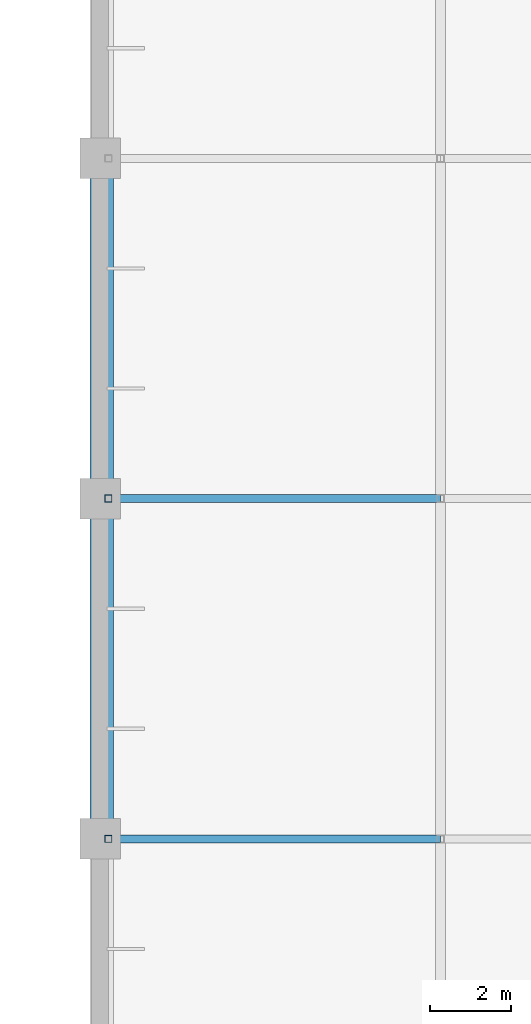
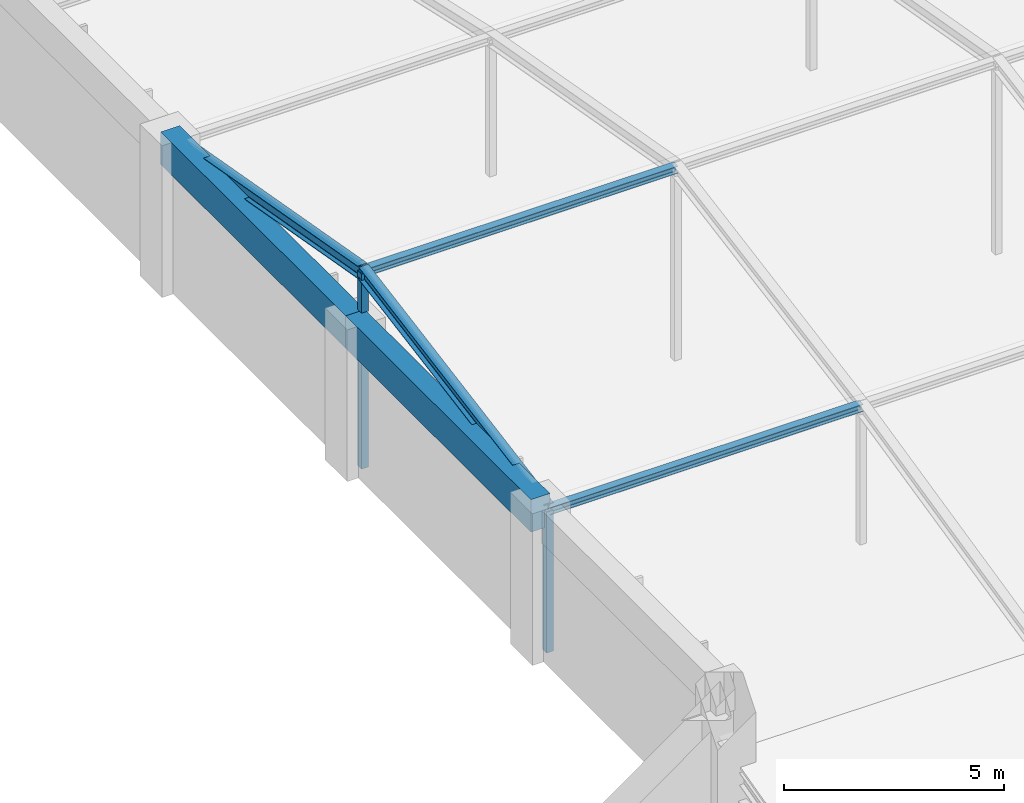
# One storey, part 7 of 34: 6 members, 2 beams.
"""IFC4 building model written with IfcOpenShell, lengths in metres."""

from ifc_helpers import new_model, si_unit, direction, frame, origin, origin_2d, place, context, subcontext, project, spatial, rectangle, hollow_rectangle, i_section, extrude, material, material_profile, profile_set, type_object, element, save


model = new_model("IFC4")

# Units and contexts
model_context = context("Model", 3, precision=1e-05, world=origin(), true_north=direction((0.0, 1.0)))
body_context = subcontext(model_context, "Body", "Model", "MODEL_VIEW")
ifc_project = project(units=[si_unit("LENGTHUNIT", "METRE"), si_unit("AREAUNIT", "SQUARE_METRE"), si_unit("VOLUMEUNIT", "CUBIC_METRE"), si_unit("PLANEANGLEUNIT", "RADIAN"), si_unit("MASSUNIT", "GRAM", prefix="KILO")], contexts=[model_context])

# Site, building, storey
site_placement = place(None, origin())
site = spatial("IfcSite", under=ifc_project, at=site_placement, CompositionType="ELEMENT")
building_placement = place(site_placement, origin())
building = spatial("IfcBuilding", under=site, at=building_placement, Name="Xuanlan Plaza Opera House", CompositionType="ELEMENT")
storey_placement = place(building_placement, frame((0.0, 0.0, 27.89990234375)))
storey = spatial("IfcBuildingStorey", under=building, at=storey_placement, Name="L06", CompositionType="ELEMENT", Elevation=27.89990234375)

# Beams
ifc_material_1 = material(Name="Concrete C40", Category="concrete")
ifc_material_profile_1 = material_profile(ifc_material_1, rectangle(XDim=0.5, YDim=0.89990234375, at=origin_2d()), Name="RC-BM 500x900")
ifc_profile_set_1 = profile_set([ifc_material_profile_1], Name="Concrete C40")
beam_type = type_object("IfcBeamType", Name="STR-BM-B-03", PredefinedType="BEAM", material=ifc_profile_set_1)
beam_1_placement = place(storey_placement, frame((67.199951171875, 50.39990234375, 3.75), z_axis=(0.0, 1.0, 0.0), x_axis=(-1.0, 0.0, 0.0)))
element("IfcBeam", 1, at=beam_1_placement, inside=storey, type_object=beam_type, Name="Fly Tower Ring Beam Y L06 9/G-H", PredefinedType="BEAM", context=body_context, shape_type="SweptSolid", body=[
    extrude(rectangle(XDim=0.5, YDim=0.89990234375, at=origin_2d()), origin(), (0.0, 0.0, 1.0), 8.400146484375),
])
beam_2_placement = place(storey_placement, frame((67.199951171875, 58.800048828125, 3.75), z_axis=(0.0, 1.0, 0.0), x_axis=(-1.0, 0.0, 0.0)))
element("IfcBeam", 2, at=beam_2_placement, inside=storey, type_object=beam_type, Name="Fly Tower Ring Beam Y L06 9/H-I", PredefinedType="BEAM", context=body_context, shape_type="SweptSolid", body=[
    extrude(rectangle(XDim=0.5, YDim=0.89990234375, at=origin_2d()), origin(), (0.0, 0.0, 1.0), 8.39990234375),
])

# Members
ifc_material_2 = material(Name="Steel Q355B", Category="steel")
ifc_material_profile_2 = material_profile(ifc_material_2, hollow_rectangle(XDim=0.179931640625, YDim=0.179931640625, WallThickness=0.010009765625, at=origin_2d()), Name="SHS 180x180x10")
ifc_profile_set_2 = profile_set([ifc_material_profile_2], Name="Steel Q355B")
member_type_1 = type_object("IfcMemberType", Name="STR-MEM-ST-M2", PredefinedType="STRUT", material=ifc_profile_set_2)
member_1_placement = place(storey_placement, frame((67.39990234375, 50.39990234375, -0.119873046875), z_axis=(0.0, 0.0, 1.0), x_axis=(1.0, 0.0, 0.0)))
element("IfcMember", 3, at=member_1_placement, inside=storey, type_object=member_type_1, Name="Auditorium Vault Arch Post 01-2", PredefinedType="STRUT", context=body_context, shape_type="SweptSolid", body=[
    extrude(hollow_rectangle(XDim=0.179931640625, YDim=0.179931640625, WallThickness=0.010009765625, at=origin_2d()), origin(), (0.0, 0.0, 1.0), 3.89990234375),
])
member_2_placement = place(storey_placement, frame((67.39990234375, 58.800048828125, -0.119873046875), z_axis=(0.0, 0.0, 1.0), x_axis=(1.0, 0.0, 0.0)))
element("IfcMember", 4, at=member_2_placement, inside=storey, type_object=member_type_1, Name="Auditorium Vault Arch Post 01-3", PredefinedType="STRUT", context=body_context, shape_type="SweptSolid", body=[
    extrude(hollow_rectangle(XDim=0.179931640625, YDim=0.179931640625, WallThickness=0.010009765625, at=origin_2d()), origin(), (0.0, 0.0, 1.0), 5.39990234375),
])
ifc_material_profile_3 = material_profile(ifc_material_2, i_section(OverallWidth=0.25, OverallDepth=0.340087890625, WebThickness=0.009033203125, FlangeThickness=0.013916015625, FilletRadius=0.01611328125, at=origin_2d()), Name="HM 340x250x9x14")
ifc_profile_set_3 = profile_set([ifc_material_profile_3], Name="Steel Q355B")
member_type_2 = type_object("IfcMemberType", Name="STR-MEM-TC-01", PredefinedType="CHORD", material=ifc_profile_set_3)
member_3_placement = place(storey_placement, frame((67.39990234375, 50.39990234375, 3.780029296875), z_axis=(0.0, 0.984428105997, 0.17578766772), x_axis=(-1.0, 0.0, 0.0)))
element("IfcMember", 5, at=member_3_placement, inside=storey, type_object=member_type_2, Name="Auditorium Parabolic Vault Arch Chord 01-3", PredefinedType="CHORD", context=body_context, shape_type="SweptSolid", body=[
    extrude(i_section(OverallWidth=0.25, OverallDepth=0.340087890625, WebThickness=0.009033203125, FlangeThickness=0.013916015625, FilletRadius=0.01611328125, at=origin_2d()), origin(), (0.0, 0.0, 1.0), 8.532958984375),
])
member_4_placement = place(storey_placement, frame((67.39990234375, 58.800048828125, 5.280029296875), z_axis=(0.0, 0.984427221834, -0.175792619048), x_axis=(-1.0, 0.0, 0.0)))
element("IfcMember", 6, at=member_4_placement, inside=storey, type_object=member_type_2, Name="Auditorium Parabolic Vault Arch Chord 01-4", PredefinedType="CHORD", context=body_context, shape_type="SweptSolid", body=[
    extrude(i_section(OverallWidth=0.25, OverallDepth=0.340087890625, WebThickness=0.009033203125, FlangeThickness=0.013916015625, FilletRadius=0.01611328125, at=origin_2d()), origin(), (0.0, 0.0, 1.0), 8.53271484375),
])
ifc_material_profile_4 = material_profile(ifc_material_2, i_section(OverallWidth=0.199951171875, OverallDepth=0.199951171875, WebThickness=0.008056640625, FlangeThickness=0.011962890625, FilletRadius=0.012939453125, at=origin_2d()), Name="HW 200x200x8x12")
ifc_profile_set_4 = profile_set([ifc_material_profile_4], Name="Steel Q355B")
member_type_3 = type_object("IfcMemberType", Name="STR-MEM-TC-02", PredefinedType="CHORD", material=ifc_profile_set_4)
for number, where, z_axis, x_axis, name in (
    (7, (67.39990234375, 50.39990234375, 3.780029296875), (1.0, 0.0, 0.0), (0.0, 1.0, 0.0), "Auditorium Vault Longitudinal Chord 01-2"),
    (8, (67.39990234375, 58.800048828125, 5.280029296875), (1.0, 0.0, 0.0), (0.0, 1.0, 0.0), "Auditorium Vault Longitudinal Chord 01-3"),
):
    element("IfcMember", number, at=place(storey_placement, frame(where, z_axis=z_axis, x_axis=x_axis)), inside=storey, type_object=member_type_3, Name=name, PredefinedType="CHORD", context=body_context, shape_type="SweptSolid", body=[
        extrude(i_section(OverallWidth=0.199951171875, OverallDepth=0.199951171875, WebThickness=0.008056640625, FlangeThickness=0.011962890625, FilletRadius=0.012939453125, at=origin_2d()), origin(), (0.0, 0.0, 1.0), 8.2001953125),
    ])

save(model, "model.ifc")
